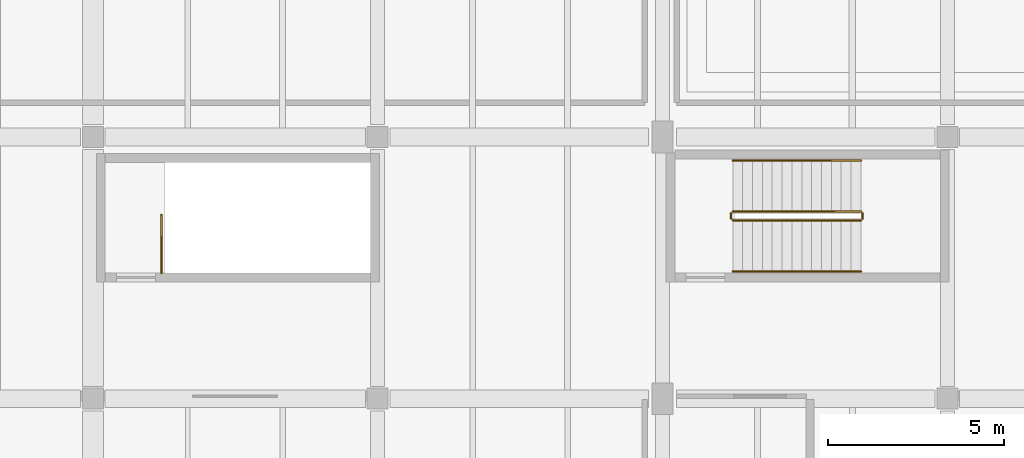
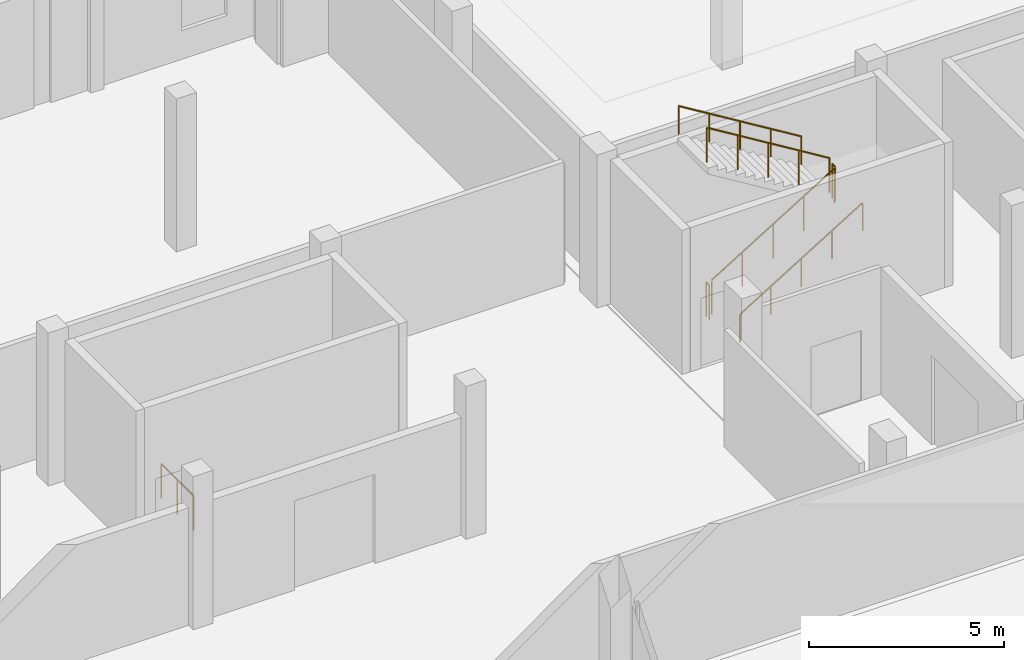
# One storey, part 103 of 104: 7 railings.
"""IFC4 building model written with IfcOpenShell, lengths in metres."""

from ifc_helpers import new_model, si_unit, direction, frame, origin, origin_2d, place, context, subcontext, project, spatial, circle, extrude, material, type_object, element, save


model = new_model("IFC4")

# Units and contexts
model_context = context("Model", 3, precision=1e-05, world=origin(), true_north=direction((0.0, 1.0)))
body_context = subcontext(model_context, "Body", "Model", "MODEL_VIEW")
ifc_project = project(units=[si_unit("LENGTHUNIT", "METRE"), si_unit("AREAUNIT", "SQUARE_METRE"), si_unit("VOLUMEUNIT", "CUBIC_METRE"), si_unit("PLANEANGLEUNIT", "RADIAN"), si_unit("MASSUNIT", "GRAM", prefix="KILO")], contexts=[model_context])

# Site, building, storey
site_placement = place(None, origin())
site = spatial("IfcSite", under=ifc_project, at=site_placement, CompositionType="ELEMENT")
building_placement = place(site_placement, origin())
building = spatial("IfcBuilding", under=site, at=building_placement, Name="Kaelora Sail Theatre", CompositionType="ELEMENT")
storey_placement = place(building_placement, frame((0.0, 0.0, 5.39990234375)))
storey = spatial("IfcBuildingStorey", under=building, at=storey_placement, Name="L01", CompositionType="ELEMENT", Elevation=5.39990234375)

# Railings
ifc_material_1 = material(Name="Painted steel and laminated safety glass guard", Category="steel")
railing_type_1 = type_object("IfcRailingType", Name="ARC-RL-GRD", PredefinedType="GUARDRAIL", material=ifc_material_1)
railing_1_placement = place(storey_placement, frame((84.449951171875, 94.35009765625, 0.0)))
element("IfcRailing", 1, at=railing_1_placement, inside=storey, type_object=railing_type_1, Name="L01 ST-K3 top well guard 1", PredefinedType="GUARDRAIL", context=body_context, shape_type="SweptSolid", body=[
    extrude(circle(Radius=0.02392578125, at=origin_2d()), frame((0.0, 0.0, 1.076171875), z_axis=(0.0, 1.0, 0.0), x_axis=(-1.0, 0.0, 0.0)), (0.0, 0.0, 1.0), 1.64990234375),
    extrude(circle(Radius=0.02099609375, at=origin_2d()), origin(), (0.0, 0.0, 1.0), 1.052001953125),
    extrude(circle(Radius=0.02099609375, at=origin_2d()), frame((0.0, 0.824951171875, 0.0)), (0.0, 0.0, 1.0), 1.052001953125),
    extrude(circle(Radius=0.02099609375, at=origin_2d()), frame((0.0, 1.64990234375, 0.0)), (0.0, 0.0, 1.0), 1.052001953125),
])
railing_2_placement = place(storey_placement, frame((100.699951171875, 95.85009765625, 0.171630859375)))
element("IfcRailing", 2, at=railing_2_placement, inside=storey, type_object=railing_type_1, Name="L01 ST-K4 stair guard 1", PredefinedType="GUARDRAIL", context=body_context, shape_type="SweptSolid", body=[
    extrude(circle(Radius=0.02392578125, at=origin_2d()), frame((0.0, 0.0, 1.076171875), z_axis=(0.852865859571, 0.0, 0.52213008492), x_axis=(0.0, 1.0, 0.0)), (0.0, 0.0, 1.0), 4.26806640625),
    extrude(circle(Radius=0.02099609375, at=origin_2d()), origin(), (0.0, 0.0, 1.0), 1.052001953125),
    extrude(circle(Radius=0.02099609375, at=origin_2d()), frame((0.91015625, 0.0, 0.55712890625)), (0.0, 0.0, 1.0), 1.052001953125),
    extrude(circle(Radius=0.02099609375, at=origin_2d()), frame((1.820068359375, 0.0, 1.1142578125)), (0.0, 0.0, 1.0), 1.052001953125),
    extrude(circle(Radius=0.02099609375, at=origin_2d()), frame((2.72998046875, 0.0, 1.67138671875)), (0.0, 0.0, 1.0), 1.052001953125),
    extrude(circle(Radius=0.02099609375, at=origin_2d()), frame((3.64013671875, 0.0, 2.228515625)), (0.0, 0.0, 1.0), 1.052001953125),
])
railing_3_placement = place(storey_placement, frame((104.389892578125, 95.89990234375, 2.400146484375)))
element("IfcRailing", 3, at=railing_3_placement, inside=storey, type_object=railing_type_1, Name="L01 ST-K4 stair guard 2", PredefinedType="GUARDRAIL", context=body_context, shape_type="SweptSolid", body=[
    extrude(circle(Radius=0.02392578125, at=origin_2d()), frame((0.0, 0.0, 1.076171875), z_axis=(0.0, 1.0, 0.0), x_axis=(-1.0, 0.0, 0.0)), (0.0, 0.0, 1.0), 0.150146484375),
    extrude(circle(Radius=0.02099609375, at=origin_2d()), origin(), (0.0, 0.0, 1.0), 1.052001953125),
    extrude(circle(Radius=0.02099609375, at=origin_2d()), frame((0.0, 0.150146484375, 0.0)), (0.0, 0.0, 1.0), 1.052001953125),
])
railing_4_placement = place(storey_placement, frame((104.340087890625, 96.10009765625, 2.571533203125)))
element("IfcRailing", 4, at=railing_4_placement, inside=storey, type_object=railing_type_1, Name="L01 ST-K4 stair guard 3", PredefinedType="GUARDRAIL", context=body_context, shape_type="SweptSolid", body=[
    extrude(circle(Radius=0.02392578125, at=origin_2d()), frame((0.0, 0.0, 1.076171875), z_axis=(-0.852865859571, 0.0, 0.52213008492), x_axis=(0.0, -1.0, 0.0)), (0.0, 0.0, 1.0), 4.26806640625),
    extrude(circle(Radius=0.02099609375, at=origin_2d()), origin(), (0.0, 0.0, 1.0), 1.052001953125),
    extrude(circle(Radius=0.02099609375, at=origin_2d()), frame((-0.91015625, 0.0, 0.55712890625)), (0.0, 0.0, 1.0), 1.052001953125),
    extrude(circle(Radius=0.02099609375, at=origin_2d()), frame((-1.820068359375, 0.0, 1.1142578125)), (0.0, 0.0, 1.0), 1.052001953125),
    extrude(circle(Radius=0.02099609375, at=origin_2d()), frame((-2.72998046875, 0.0, 1.67138671875)), (0.0, 0.0, 1.0), 1.052001953125),
    extrude(circle(Radius=0.02099609375, at=origin_2d()), frame((-3.64013671875, 0.0, 2.228515625)), (0.0, 0.0, 1.0), 1.052001953125),
])
railing_5_placement = place(storey_placement, frame((100.64990234375, 95.89990234375, 0.0)))
element("IfcRailing", 5, at=railing_5_placement, inside=storey, type_object=railing_type_1, Name="L01 ST-K4 stair guard 4", PredefinedType="GUARDRAIL", context=body_context, shape_type="SweptSolid", body=[
    extrude(circle(Radius=0.02392578125, at=origin_2d()), frame((0.0, 0.0, 1.076171875), z_axis=(0.0, 1.0, 0.0), x_axis=(-1.0, 0.0, 0.0)), (0.0, 0.0, 1.0), 0.150146484375),
    extrude(circle(Radius=0.02099609375, at=origin_2d()), origin(), (0.0, 0.0, 1.0), 1.052001953125),
    extrude(circle(Radius=0.02099609375, at=origin_2d()), frame((0.0, 0.150146484375, 0.0)), (0.0, 0.0, 1.0), 1.052001953125),
])
ifc_material_2 = material(Name="Brushed stainless steel 316L tubular handrail", Category="steel")
railing_type_2 = type_object("IfcRailingType", Name="ARC-RL-HND", PredefinedType="HANDRAIL", material=ifc_material_2)
railing_6_placement = place(storey_placement, frame((100.699951171875, 94.39990234375, 0.171630859375)))
element("IfcRailing", 6, at=railing_6_placement, inside=storey, type_object=railing_type_2, Name="L01 ST-K4 stair handrail 1", PredefinedType="HANDRAIL", context=body_context, shape_type="SweptSolid", body=[
    extrude(circle(Radius=0.02392578125, at=origin_2d()), frame((0.0, 0.0, 0.8759765625), z_axis=(0.852865859571, 0.0, 0.52213008492), x_axis=(0.0, 1.0, 0.0)), (0.0, 0.0, 1.0), 4.26806640625),
    extrude(circle(Radius=0.02099609375, at=origin_2d()), origin(), (0.0, 0.0, 1.0), 0.851806640625),
    extrude(circle(Radius=0.02099609375, at=origin_2d()), frame((0.91015625, 0.0, 0.55712890625)), (0.0, 0.0, 1.0), 0.851806640625),
    extrude(circle(Radius=0.02099609375, at=origin_2d()), frame((1.820068359375, 0.0, 1.1142578125)), (0.0, 0.0, 1.0), 0.851806640625),
    extrude(circle(Radius=0.02099609375, at=origin_2d()), frame((2.72998046875, 0.0, 1.67138671875)), (0.0, 0.0, 1.0), 0.851806640625),
    extrude(circle(Radius=0.02099609375, at=origin_2d()), frame((3.64013671875, 0.0, 2.228515625)), (0.0, 0.0, 1.0), 0.851806640625),
])
railing_7_placement = place(storey_placement, frame((104.340087890625, 97.550048828125, 2.571533203125)))
element("IfcRailing", 7, at=railing_7_placement, inside=storey, type_object=railing_type_2, Name="L01 ST-K4 stair handrail 2", PredefinedType="HANDRAIL", context=body_context, shape_type="SweptSolid", body=[
    extrude(circle(Radius=0.02392578125, at=origin_2d()), frame((0.0, 0.0, 0.8759765625), z_axis=(-0.852865859571, 0.0, 0.52213008492), x_axis=(0.0, -1.0, 0.0)), (0.0, 0.0, 1.0), 4.26806640625),
    extrude(circle(Radius=0.02099609375, at=origin_2d()), origin(), (0.0, 0.0, 1.0), 0.851806640625),
    extrude(circle(Radius=0.02099609375, at=origin_2d()), frame((-0.91015625, 0.0, 0.55712890625)), (0.0, 0.0, 1.0), 0.851806640625),
    extrude(circle(Radius=0.02099609375, at=origin_2d()), frame((-1.820068359375, 0.0, 1.1142578125)), (0.0, 0.0, 1.0), 0.851806640625),
    extrude(circle(Radius=0.02099609375, at=origin_2d()), frame((-2.72998046875, 0.0, 1.67138671875)), (0.0, 0.0, 1.0), 0.851806640625),
    extrude(circle(Radius=0.02099609375, at=origin_2d()), frame((-3.64013671875, 0.0, 2.228515625)), (0.0, 0.0, 1.0), 0.851806640625),
])

save(model, "model.ifc")
